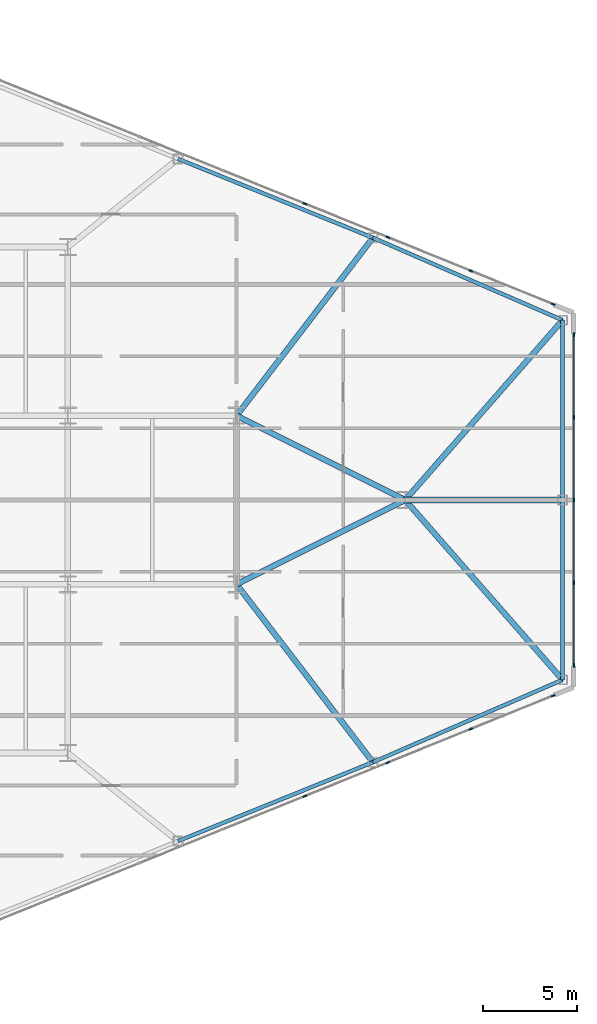
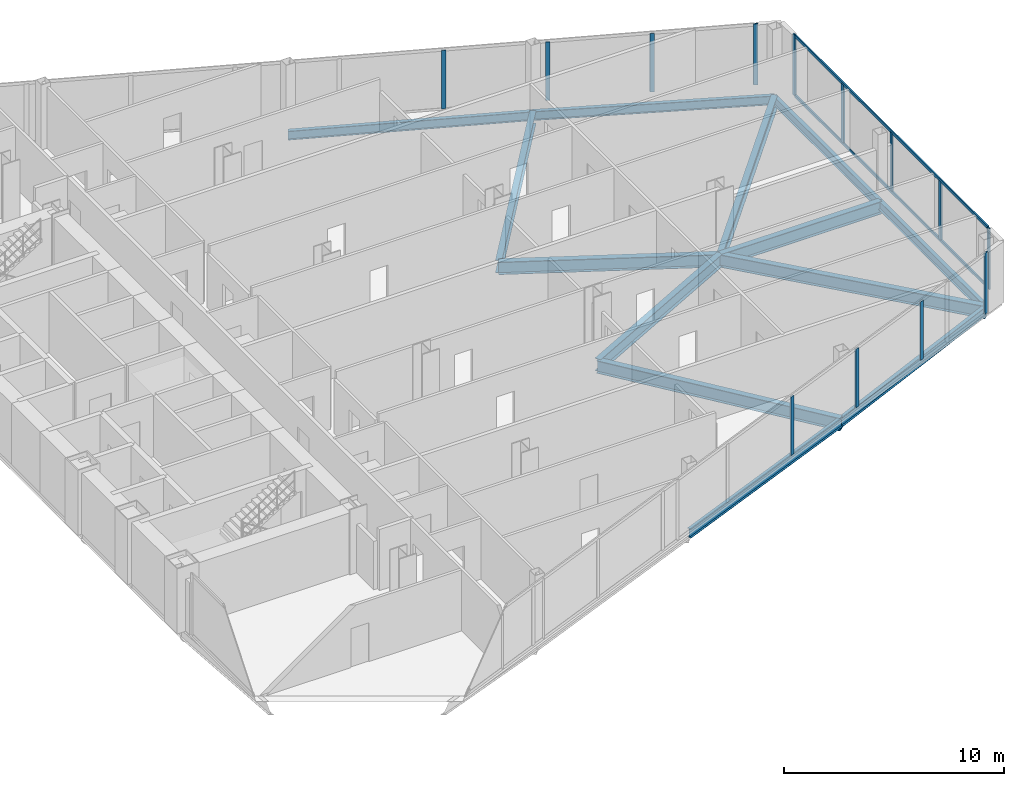
# One storey, part 14 of 25: 15 members, 13 beams, 3 elements without a shape of their own.
"""IFC4 building model written with IfcOpenShell, lengths in metres."""

from ifc_helpers import new_model, si_unit, direction, frame, origin, origin_2d, place, context, subcontext, project, spatial, rectangle, i_section, extrude, source, transform, mapped, material, layer, layer_set, material_profile, profile_set, type_object, type_shapes, element, aggregate, save


model = new_model("IFC4")

# Units and contexts
model_context = context("Model", 3, precision=1e-05, world=origin(), true_north=direction((0.0, 1.0)))
body_context = subcontext(model_context, "Body", "Model", "MODEL_VIEW")
ifc_project = project(units=[si_unit("LENGTHUNIT", "METRE"), si_unit("AREAUNIT", "SQUARE_METRE"), si_unit("VOLUMEUNIT", "CUBIC_METRE"), si_unit("PLANEANGLEUNIT", "RADIAN"), si_unit("MASSUNIT", "GRAM", prefix="KILO")], contexts=[model_context])

# Site, building, storey
site_placement = place(None, origin())
site = spatial("IfcSite", under=ifc_project, at=site_placement, CompositionType="ELEMENT")
building_placement = place(site_placement, origin())
building = spatial("IfcBuilding", under=site, at=building_placement, Name="Seokmaru Belvedere", CompositionType="ELEMENT")
storey_placement = place(building_placement, frame((0.0, 0.0, 36.89990234375)))
storey = spatial("IfcBuildingStorey", under=building, at=storey_placement, Name="L09", CompositionType="ELEMENT", Elevation=36.89990234375)

# Beams
ifc_material_1 = material(Name="Steel SM355 (355 MPa)", Category="steel")
ifc_material_profile_1 = material_profile(ifc_material_1, i_section(OverallWidth=0.300048828125, OverallDepth=0.699951171875, WebThickness=0.012939453125, FlangeThickness=0.02392578125, at=origin_2d()), Name="H-700x300x13x24")
ifc_profile_set_1 = profile_set([ifc_material_profile_1], Name="Steel SM355 (355 MPa)")
beam_type_1 = type_object("IfcBeamType", Name="Primary Floor Girder H-700", PredefinedType="BEAM", material=ifc_profile_set_1)
shared_shape_1 = source(origin(), body_context, "Body", "SweptSolid", [
    extrude(i_section(OverallWidth=0.300048828125, OverallDepth=0.699951171875, WebThickness=0.012939453125, FlangeThickness=0.02392578125, at=origin_2d()), origin(), (0.0, 0.0, 1.0), 10.062255859375),
])
for number, where, z_axis, x_axis, name in (
    (1, (54.5, -4.5, -0.56982421875), (0.894427191, 0.4472135955, 0.0), (-0.4472135955, 0.894427191, 0.0), "L09 E Apex Converging Girder 1"),
    (2, (54.5, 4.5, -0.56982421875), (0.894427191, -0.4472135955, 0.0), (0.4472135955, 0.894427191, 0.0), "L09 E Apex Converging Girder 2"),
):
    element("IfcBeam", number, at=place(storey_placement, frame(where, z_axis=z_axis, x_axis=x_axis)), inside=storey, type_object=beam_type_1, Name=name, PredefinedType="BEAM", context=body_context, shape_type="MappedRepresentation", body=[
        mapped(shared_shape_1, transform((0.0, 0.0, 0.0), scale=1.0)),
    ])
shared_shape_2 = source(origin(), body_context, "Body", "SweptSolid", [
    extrude(i_section(OverallWidth=0.300048828125, OverallDepth=0.699951171875, WebThickness=0.012939453125, FlangeThickness=0.02392578125, at=origin_2d()), origin(), (0.0, 0.0, 1.0), 12.7529296875),
])
for number, where, z_axis, x_axis, name in (
    (3, (71.89990234375, -9.595703125, -0.56982421875), (-0.658667231479, 0.752434368019, 0.0), (-0.752434368019, -0.658667231479, 0.0), "L09 E Apex Radial Floor Girder 1"),
    (4, (71.89990234375, 9.595703125, -0.56982421875), (-0.658667231479, -0.752434368019, 0.0), (0.752434368019, -0.658667231479, 0.0), "L09 E Apex Radial Floor Girder 2"),
):
    element("IfcBeam", number, at=place(storey_placement, frame(where, z_axis=z_axis, x_axis=x_axis)), inside=storey, type_object=beam_type_1, Name=name, PredefinedType="BEAM", context=body_context, shape_type="MappedRepresentation", body=[
        mapped(shared_shape_2, transform((0.0, 0.0, 0.0), scale=1.0)),
    ])
ifc_material_profile_2 = material_profile(ifc_material_1, i_section(OverallWidth=0.199951171875, OverallDepth=0.5, WebThickness=0.010009765625, FlangeThickness=0.01611328125, at=origin_2d()), Name="H-500x200x10x16")
ifc_profile_set_2 = profile_set([ifc_material_profile_2], Name="Steel SM355 (355 MPa)")
beam_type_2 = type_object("IfcBeamType", Name="Perimeter Spandrel Beam H-500", PredefinedType="SPANDREL", material=ifc_profile_set_2)
shared_shape_3 = source(origin(), body_context, "Body", "SweptSolid", [
    extrude(i_section(OverallWidth=0.199951171875, OverallDepth=0.5, WebThickness=0.010009765625, FlangeThickness=0.01611328125, at=origin_2d()), origin(), (0.0, 0.0, 1.0), 11.220703125),
])
for number, where, z_axis, x_axis, name in (
    (5, (51.378173828125, -18.2041015625, -0.469970703125), (0.926944290816, 0.375198989503, 0.0), (-0.375198989503, 0.926944290816, 0.0), "L09 E Faceted Flank Spandrel S-3"),
    (6, (51.378173828125, 18.2041015625, -0.469970703125), (0.926944290816, -0.375198989503, 0.0), (0.375198989503, 0.926944290816, 0.0), "L09 E Faceted Flank Spandrel N-3"),
):
    element("IfcBeam", number, at=place(storey_placement, frame(where, z_axis=z_axis, x_axis=x_axis)), inside=storey, type_object=beam_type_2, Name=name, PredefinedType="SPANDREL", context=body_context, shape_type="MappedRepresentation", body=[
        mapped(shared_shape_3, transform((0.0, 0.0, 0.0), scale=1.0)),
    ])
shared_shape_4 = source(origin(), body_context, "Body", "SweptSolid", [
    extrude(i_section(OverallWidth=0.199951171875, OverallDepth=0.5, WebThickness=0.010009765625, FlangeThickness=0.01611328125, at=origin_2d()), origin(), (0.0, 0.0, 1.0), 11.035400390625),
])
for number, where, z_axis, x_axis, name in (
    (7, (61.779052734375, -13.994140625, -0.469970703125), (0.917134058682, 0.398578873507, 0.0), (-0.398578873507, 0.917134058682, 0.0), "L09 E Faceted Flank Spandrel S-4"),
    (8, (61.779052734375, 13.994140625, -0.469970703125), (0.917134058682, -0.398578873507, 0.0), (0.398578873507, 0.917134058682, 0.0), "L09 E Faceted Flank Spandrel N-4"),
):
    element("IfcBeam", number, at=place(storey_placement, frame(where, z_axis=z_axis, x_axis=x_axis)), inside=storey, type_object=beam_type_2, Name=name, PredefinedType="SPANDREL", context=body_context, shape_type="MappedRepresentation", body=[
        mapped(shared_shape_4, transform((0.0, 0.0, 0.0), scale=1.0)),
    ])
shared_shape_5 = source(origin(), body_context, "Body", "SweptSolid", [
    extrude(i_section(OverallWidth=0.199951171875, OverallDepth=0.5, WebThickness=0.010009765625, FlangeThickness=0.01611328125, at=origin_2d()), origin(), (0.0, 0.0, 1.0), 9.595703125),
])
type_shapes(beam_type_2, [shared_shape_3, shared_shape_4, shared_shape_5])
for number, where, z_axis, x_axis, name in (
    (9, (71.89990234375, -9.595703125, -0.469970703125), (0.0, 1.0, 0.0), (-1.0, 0.0, 0.0), "L09 E Faceted Apex Spandrel S"),
    (10, (71.89990234375, 0.0, -0.469970703125), (0.0, 1.0, 0.0), (-1.0, 0.0, 0.0), "L09 E Faceted Apex Spandrel N"),
):
    element("IfcBeam", number, at=place(storey_placement, frame(where, z_axis=z_axis, x_axis=x_axis)), inside=storey, type_object=beam_type_2, Name=name, PredefinedType="SPANDREL", context=body_context, shape_type="MappedRepresentation", body=[
        mapped(shared_shape_5, transform((0.0, 0.0, 0.0), scale=1.0)),
    ])
shared_shape_6 = source(origin(), body_context, "Body", "SweptSolid", [
    extrude(i_section(OverallWidth=0.300048828125, OverallDepth=0.699951171875, WebThickness=0.012939453125, FlangeThickness=0.02392578125, at=origin_2d()), origin(), (0.0, 0.0, 1.0), 11.96337890625),
])
for number, where, z_axis, x_axis, name in (
    (11, (61.779052734375, -13.994140625, -0.56982421875), (-0.608442682624, 0.793597821294, 0.0), (-0.793597821294, -0.608442682624, 0.0), "L09 E Flank Radial Floor Girder S-3"),
    (12, (61.779052734375, 13.994140625, -0.56982421875), (-0.608442682624, -0.793597821294, 0.0), (0.793597821294, -0.608442682624, 0.0), "L09 E Flank Radial Floor Girder N-3"),
):
    element("IfcBeam", number, at=place(storey_placement, frame(where, z_axis=z_axis, x_axis=x_axis)), inside=storey, type_object=beam_type_1, Name=name, PredefinedType="BEAM", context=body_context, shape_type="MappedRepresentation", body=[
        mapped(shared_shape_6, transform((0.0, 0.0, 0.0), scale=1.0)),
    ])
shared_shape_7 = source(origin(), body_context, "Body", "SweptSolid", [
    extrude(i_section(OverallWidth=0.300048828125, OverallDepth=0.699951171875, WebThickness=0.012939453125, FlangeThickness=0.02392578125, at=origin_2d()), origin(), (0.0, 0.0, 1.0), 8.39990234375),
])
type_shapes(beam_type_1, [shared_shape_1, shared_shape_2, shared_shape_6, shared_shape_7])
beam_placement = place(storey_placement, frame((71.89990234375, 0.0, -0.56982421875), z_axis=(-1.0, 0.0, 0.0), x_axis=(0.0, -1.0, 0.0)))
element("IfcBeam", 13, at=beam_placement, inside=storey, type_object=beam_type_1, Name="L09 E Apex Center Radial Girder", PredefinedType="BEAM", context=body_context, shape_type="MappedRepresentation", body=[
    mapped(shared_shape_7, transform((0.0, 0.0, 0.0), scale=1.0)),
])

# Curtain wall, member
ifc_material_2 = material(Name="Bronze Triple Insulating Glass", Category="glass")
ifc_layer = layer(ifc_material_2, 0.2099609375)
ifc_layer_set = layer_set([ifc_layer], Name="Bronze Triple Insulating Glass")
curtain_wall_type = type_object("IfcCurtainWallType", Name="Low-Rise Faceted Crystal Curtain Wall System CW-2", PredefinedType="NOTDEFINED", material=ifc_layer_set)
curtain_wall_1_placement = place(storey_placement, origin())
curtain_wall_1 = element("IfcCurtainWall", 14, at=curtain_wall_1_placement, inside=storey, type_object=curtain_wall_type, Name="L09 Curtain Wall EF1", PredefinedType="NOTDEFINED")
ifc_material_3 = material(Name="Anodised Bronze Aluminium", Category="aluminium")
ifc_material_profile_3 = material_profile(ifc_material_3, rectangle(XDim=0.074951171875, YDim=0.2099609375, at=origin_2d()), Name="CW-M-75x210")
ifc_profile_set_3 = profile_set([ifc_material_profile_3], Name="Anodised Bronze Aluminium")
member_type_1 = type_object("IfcMemberType", Name="Bronze Unitised Mullion 75x210", PredefinedType="MULLION", material=ifc_profile_set_3)
shared_shape_8 = source(origin(), body_context, "Body", "SweptSolid", [
    extrude(rectangle(XDim=0.074951171875, YDim=0.2099609375, at=origin_2d()), origin(), (0.0, 0.0, 1.0), 3.380126953125),
])
member_1_placement = place(storey_placement, frame((71.399169921875, -10.445556640625, 0.0), z_axis=(0.0, 0.0, 1.0), x_axis=(-0.375192321888, 0.926946989637, 0.0)))
member_1 = element("IfcMember", 15, at=member_1_placement, type_object=member_type_1, Name="CW:L09:EF1 Mullion 10", PredefinedType="MULLION", context=body_context, shape_type="MappedRepresentation", body=[
    mapped(shared_shape_8, transform((0.0, 0.0, 0.0), scale=1.0)),
])

# Curtain wall, members
curtain_wall_2_placement = place(storey_placement, origin())
curtain_wall_2 = element("IfcCurtainWall", 16, at=curtain_wall_2_placement, inside=storey, type_object=curtain_wall_type, Name="L09 Curtain Wall EF2", PredefinedType="NOTDEFINED")
member_2_placement = place(storey_placement, frame((72.5, -8.8125, 0.0), z_axis=(0.0, 0.0, 1.0), x_axis=(-1.0, 0.0, 0.0)))
member_2 = element("IfcMember", 17, at=member_2_placement, type_object=member_type_1, Name="CW:L09:EF2 Mullion 1", PredefinedType="MULLION", context=body_context, shape_type="MappedRepresentation", body=[
    mapped(shared_shape_8, transform((0.0, 0.0, 0.0), scale=1.0)),
])
member_3_placement = place(storey_placement, frame((72.5, 8.8125, 0.0), z_axis=(0.0, 0.0, 1.0), x_axis=(-1.0, 0.0, 0.0)))
member_3 = element("IfcMember", 18, at=member_3_placement, type_object=member_type_1, Name="CW:L09:EF2 Mullion 5", PredefinedType="MULLION", context=body_context, shape_type="MappedRepresentation", body=[
    mapped(shared_shape_8, transform((0.0, 0.0, 0.0), scale=1.0)),
])

# Curtain wall, member
curtain_wall_3_placement = place(storey_placement, origin())
curtain_wall_3 = element("IfcCurtainWall", 19, at=curtain_wall_3_placement, inside=storey, type_object=curtain_wall_type, Name="L09 Curtain Wall EF3", PredefinedType="NOTDEFINED")
member_4_placement = place(storey_placement, frame((71.399169921875, 10.445556640625, 0.0), z_axis=(0.0, 0.0, 1.0), x_axis=(-0.375192321888, -0.926946989637, 0.0)))
member_4 = element("IfcMember", 20, at=member_4_placement, type_object=member_type_1, Name="CW:L09:EF3 Mullion 1", PredefinedType="MULLION", context=body_context, shape_type="MappedRepresentation", body=[
    mapped(shared_shape_8, transform((0.0, 0.0, 0.0), scale=1.0)),
])

# Member
shared_shape_9 = source(origin(), body_context, "Body", "SweptSolid", [
    extrude(rectangle(XDim=0.074951171875, YDim=0.2099609375, at=origin_2d()), origin(), (0.0, 0.0, 1.0), 3.239990234375),
])
type_shapes(member_type_1, [shared_shape_8, shared_shape_9])
member_5_placement = place(storey_placement, frame((58.144775390625, -15.810546875, 0.070068359375), z_axis=(0.0, 0.0, 1.0), x_axis=(-0.375192321888, 0.926946989637, 0.0)))
member_5 = element("IfcMember", 21, at=member_5_placement, type_object=member_type_1, Name="CW:L09:EF1 Mullion 7", PredefinedType="MULLION", context=body_context, shape_type="MappedRepresentation", body=[
    mapped(shared_shape_9, transform((0.0, 0.0, 0.0), scale=1.0)),
])

member_6_placement = place(storey_placement, frame((62.574462890625, -14.017578125, 0.070068359375), z_axis=(0.0, 0.0, 1.0), x_axis=(-0.375192321888, 0.926946989637, 0.0)))
member_6 = element("IfcMember", 22, at=member_6_placement, type_object=member_type_1, Name="CW:L09:EF1 Mullion 8", PredefinedType="MULLION", context=body_context, shape_type="MappedRepresentation", body=[
    mapped(shared_shape_9, transform((0.0, 0.0, 0.0), scale=1.0)),
])

member_7_placement = place(storey_placement, frame((67.004150390625, -12.224609375, 0.070068359375), z_axis=(0.0, 0.0, 1.0), x_axis=(-0.375192321888, 0.926946989637, 0.0)))
member_7 = element("IfcMember", 23, at=member_7_placement, type_object=member_type_1, Name="CW:L09:EF1 Mullion 9", PredefinedType="MULLION", context=body_context, shape_type="MappedRepresentation", body=[
    mapped(shared_shape_9, transform((0.0, 0.0, 0.0), scale=1.0)),
])

aggregate(curtain_wall_1, [member_5, member_6, member_7, member_1])

member_8_placement = place(storey_placement, frame((72.5, -4.425048828125, 0.070068359375), z_axis=(0.0, 0.0, 1.0), x_axis=(-1.0, 0.0, 0.0)))
member_8 = element("IfcMember", 24, at=member_8_placement, type_object=member_type_1, Name="CW:L09:EF2 Mullion 2", PredefinedType="MULLION", context=body_context, shape_type="MappedRepresentation", body=[
    mapped(shared_shape_9, transform((0.0, 0.0, 0.0), scale=1.0)),
])

member_9_placement = place(storey_placement, frame((72.5, 0.0, 0.070068359375), z_axis=(0.0, 0.0, 1.0), x_axis=(-1.0, 0.0, 0.0)))
member_9 = element("IfcMember", 25, at=member_9_placement, type_object=member_type_1, Name="CW:L09:EF2 Mullion 3", PredefinedType="MULLION", context=body_context, shape_type="MappedRepresentation", body=[
    mapped(shared_shape_9, transform((0.0, 0.0, 0.0), scale=1.0)),
])

member_10_placement = place(storey_placement, frame((72.5, 4.425048828125, 0.070068359375), z_axis=(0.0, 0.0, 1.0), x_axis=(-1.0, 0.0, 0.0)))
member_10 = element("IfcMember", 26, at=member_10_placement, type_object=member_type_1, Name="CW:L09:EF2 Mullion 4", PredefinedType="MULLION", context=body_context, shape_type="MappedRepresentation", body=[
    mapped(shared_shape_9, transform((0.0, 0.0, 0.0), scale=1.0)),
])

member_11_placement = place(storey_placement, frame((67.004150390625, 12.224609375, 0.070068359375), z_axis=(0.0, 0.0, 1.0), x_axis=(-0.375192321888, -0.926946989637, 0.0)))
member_11 = element("IfcMember", 27, at=member_11_placement, type_object=member_type_1, Name="CW:L09:EF3 Mullion 2", PredefinedType="MULLION", context=body_context, shape_type="MappedRepresentation", body=[
    mapped(shared_shape_9, transform((0.0, 0.0, 0.0), scale=1.0)),
])

member_12_placement = place(storey_placement, frame((62.574462890625, 14.017578125, 0.070068359375), z_axis=(0.0, 0.0, 1.0), x_axis=(-0.375192321888, -0.926946989637, 0.0)))
member_12 = element("IfcMember", 28, at=member_12_placement, type_object=member_type_1, Name="CW:L09:EF3 Mullion 3", PredefinedType="MULLION", context=body_context, shape_type="MappedRepresentation", body=[
    mapped(shared_shape_9, transform((0.0, 0.0, 0.0), scale=1.0)),
])

member_13_placement = place(storey_placement, frame((58.144775390625, 15.810546875, 0.070068359375), z_axis=(0.0, 0.0, 1.0), x_axis=(-0.375192321888, -0.926946989637, 0.0)))
member_13 = element("IfcMember", 29, at=member_13_placement, type_object=member_type_1, Name="CW:L09:EF3 Mullion 4", PredefinedType="MULLION", context=body_context, shape_type="MappedRepresentation", body=[
    mapped(shared_shape_9, transform((0.0, 0.0, 0.0), scale=1.0)),
])

aggregate(curtain_wall_3, [member_4, member_11, member_12, member_13])

ifc_material_profile_4 = material_profile(ifc_material_3, rectangle(XDim=0.070068359375, YDim=0.1650390625, at=origin_2d()), Name="CW-T-70x165")
ifc_profile_set_4 = profile_set([ifc_material_profile_4], Name="Anodised Bronze Aluminium")
member_type_2 = type_object("IfcMemberType", Name="Bronze Unitised Transom 70x165", PredefinedType="USERDEFINED", material=ifc_profile_set_4)
shared_shape_10 = source(origin(), body_context, "Body", "SweptSolid", [
    extrude(rectangle(XDim=0.070068359375, YDim=0.1650390625, at=origin_2d()), origin(), (0.0, 0.0, 1.0), 17.5498046875),
])
type_shapes(member_type_2, [shared_shape_10])
member_14_placement = place(storey_placement, frame((72.5, -8.77490234375, 0.03515625), z_axis=(0.0, 1.0, 0.0), x_axis=(-1.0, 0.0, 0.0)))
member_14 = element("IfcMember", 30, at=member_14_placement, type_object=member_type_2, Name="CW:L09:EF2 Continuous Transom 1", ObjectType="TRANSOM", PredefinedType="USERDEFINED", context=body_context, shape_type="MappedRepresentation", body=[
    mapped(shared_shape_10, transform((0.0, 0.0, 0.0), scale=1.0)),
])

member_15_placement = place(storey_placement, frame((72.5, -8.77490234375, 3.34521484375), z_axis=(0.0, 1.0, 0.0), x_axis=(-1.0, 0.0, 0.0)))
member_15 = element("IfcMember", 31, at=member_15_placement, type_object=member_type_2, Name="CW:L09:EF2 Continuous Transom 2", ObjectType="TRANSOM", PredefinedType="USERDEFINED", context=body_context, shape_type="MappedRepresentation", body=[
    mapped(shared_shape_10, transform((0.0, 0.0, 0.0), scale=1.0)),
])

aggregate(curtain_wall_2, [member_2, member_8, member_9, member_10, member_3, member_14, member_15])

save(model, "model.ifc")
